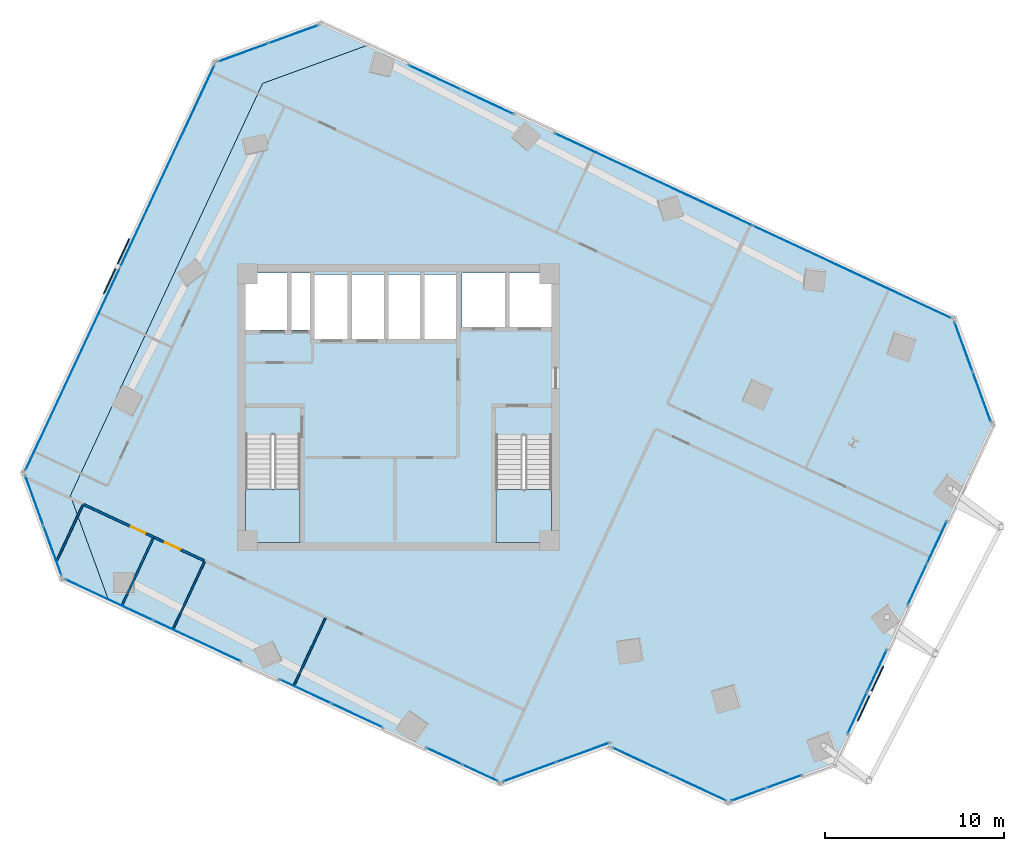
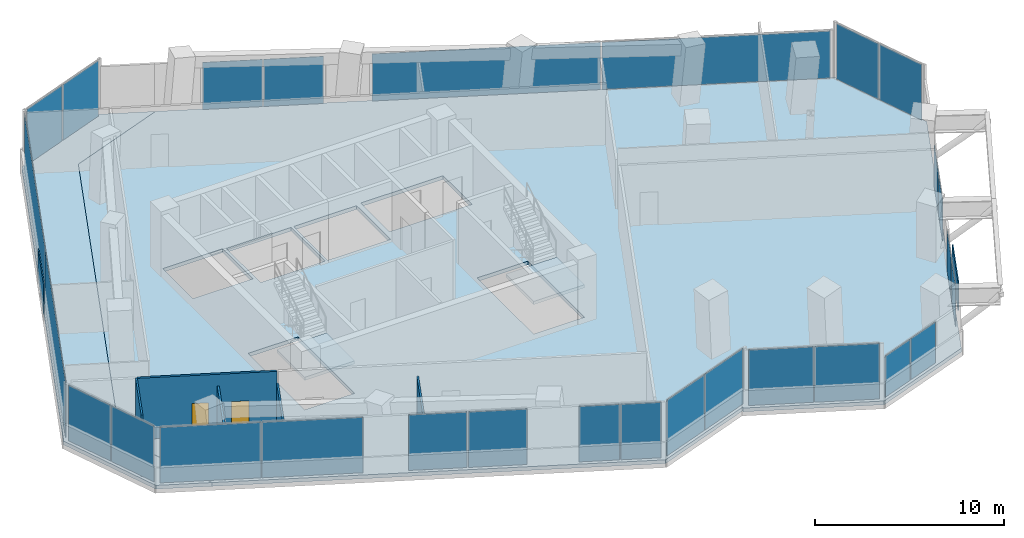
# One storey, part 15 of 21: 30 plates, 5 walls, 4 slabs, 2 doors, 2 openings, 16 elements without a shape of their own.
"""IFC4 building model written with IfcOpenShell, lengths in metres."""

from ifc_helpers import new_model, si_unit, direction, frame, frame_2d, origin, origin_2d, place, context, subcontext, project, spatial, polyline, rectangle, outline, extrude, source, transform, mapped, material, layer, layer_set, type_object, element, fill, aggregate, save


model = new_model("IFC4")

# Units and contexts
model_context = context("Model", 3, precision=1e-05, world=origin(), true_north=direction((0.0, 1.0)))
body_context = subcontext(model_context, "Body", "Model", "MODEL_VIEW")
ifc_project = project(units=[si_unit("LENGTHUNIT", "METRE"), si_unit("AREAUNIT", "SQUARE_METRE"), si_unit("VOLUMEUNIT", "CUBIC_METRE"), si_unit("PLANEANGLEUNIT", "RADIAN"), si_unit("MASSUNIT", "GRAM", prefix="KILO")], contexts=[model_context])

# Site, building, storey
site_placement = place(None, origin())
site = spatial("IfcSite", under=ifc_project, at=site_placement, CompositionType="ELEMENT")
building_placement = place(site_placement, origin())
building = spatial("IfcBuilding", under=site, at=building_placement, Name="Torre Montelarca", CompositionType="ELEMENT")
storey_placement = place(building_placement, frame((0.0, 0.0, 162.39990234375)))
storey = spatial("IfcBuildingStorey", under=building, at=storey_placement, Name="L36", CompositionType="ELEMENT", Elevation=162.39990234375)

# Slabs
ifc_material_1 = material(Name="Concrete C40/50", Category="concrete")
ifc_layer_1 = layer(ifc_material_1, 0.239990234375, Name="Concrete C40/50", Category="concrete")
ifc_layer_set_1 = layer_set([ifc_layer_1], Name="Concrete C40/50")
slab_type_1 = type_object("IfcSlabType", Name="SL-FLR-240", PredefinedType="FLOOR", material=ifc_layer_set_1)
slab_1_placement = place(storey_placement, frame((0.0, 0.0, -0.239990234375)))
element("IfcSlab", 1, at=slab_1_placement, inside=storey, type_object=slab_type_1, Name="L36 Structural Floor Slab", PredefinedType="FLOOR", context=body_context, shape_type="SweptSolid", body=[
    extrude(outline(polyline([(23.68701171875, 10.898681640625), (29.667236328125, 13.0751953125), (29.625, 12.984619140625), (36.42236328125, 9.81494140625), (42.402587890625, 11.99169921875), (51.277587890625, 31.024169921875), (49.100830078125, 37.004150390625), (16.38330078125, 52.2607421875), (10.403076171875, 50.083984375), (-0.33154296875, 27.06396484375), (1.84521484375, 21.083740234375), (23.68701171875, 10.898681640625)]), holes=[polyline([(26.550048828125, 24.449951171875), (23.43994140625, 24.449951171875), (23.43994140625, 30.429931640625), (26.550048828125, 30.429931640625), (26.550048828125, 24.449951171875)]), polyline([(9.449951171875, 24.449951171875), (9.449951171875, 30.4599609375), (12.5, 30.4599609375), (12.5, 24.449951171875), (9.449951171875, 24.449951171875)]), polyline([(17.25, 35.800048828125), (13.300048828125, 35.800048828125), (13.300048828125, 39.39990234375), (17.25, 39.39990234375), (17.25, 35.800048828125)]), polyline([(21.25, 39.39990234375), (21.25, 35.800048828125), (17.39990234375, 35.800048828125), (17.39990234375, 39.39990234375), (21.25, 39.39990234375)]), polyline([(13.1201171875, 36.300048828125), (9.449951171875, 36.300048828125), (9.449951171875, 39.5), (13.1201171875, 39.5), (13.1201171875, 36.300048828125)]), polyline([(26.60009765625, 36.449951171875), (21.550048828125, 36.449951171875), (21.550048828125, 39.5), (26.60009765625, 39.5), (26.60009765625, 36.449951171875)])]), origin(), (0.0, 0.0, 1.0), 0.239990234375),
])
slab_2_placement = place(storey_placement, frame((0.0, 0.0, -0.239990234375)))
element("IfcSlab", 2, at=slab_2_placement, inside=storey, type_object=slab_type_1, Name="L36 Sliding Tray Winter Garden Floor Slab W1", PredefinedType="FLOOR", context=body_context, shape_type="SweptSolid", body=[
    extrude(outline(polyline([(1.84521484375, 21.083740234375), (-0.33154296875, 27.06396484375), (10.403076171875, 50.083984375), (16.38330078125, 52.2607421875), (13.664306640625, 53.528564453125), (7.68408203125, 51.35205078125), (-3.05029296875, 28.331787109375), (-0.873779296875, 22.3515625), (1.84521484375, 21.083740234375)])), origin(), (0.0, 0.0, 1.0), 0.239990234375),
])

# Stair, slab
stair_type_1 = type_object("IfcStairType", Name="ST-CORE-ST1", PredefinedType="HALF_TURN_STAIR", material=ifc_material_1)
stair_1_placement = place(storey_placement, origin())
stair_1 = element("IfcStair", 3, at=stair_1_placement, inside=storey, type_object=stair_type_1, Name="L36 Protected Exit Stair ST1", PredefinedType="HALF_TURN_STAIR")
ifc_layer_2 = layer(ifc_material_1, 0.199951171875, Name="Concrete C40/50", Category="concrete")
ifc_layer_set_2 = layer_set([ifc_layer_2], Name="Concrete C40/50")
slab_type_2 = type_object("IfcSlabType", Name="SL-ST-LAND-ST1", PredefinedType="LANDING", material=ifc_layer_set_2)
slab_3_placement = place(storey_placement, frame((0.0, 0.0, 1.900146484375)))
slab_3 = element("IfcSlab", 4, at=slab_3_placement, type_object=slab_type_2, Name="ST1 landing 1", PredefinedType="LANDING", context=body_context, shape_type="SweptSolid", body=[
    extrude(outline(polyline([(9.449951171875, 27.419921875), (9.449951171875, 24.449951171875), (12.5, 24.449951171875), (12.5, 27.419921875), (9.449951171875, 27.419921875)])), origin(), (0.0, 0.0, 1.0), 0.199951171875),
])
aggregate(stair_1, [slab_3])

stair_type_2 = type_object("IfcStairType", Name="ST-CORE-ST2", PredefinedType="HALF_TURN_STAIR", material=ifc_material_1)
stair_2_placement = place(storey_placement, origin())
stair_2 = element("IfcStair", 5, at=stair_2_placement, inside=storey, type_object=stair_type_2, Name="L36 Protected Exit Stair ST2", PredefinedType="HALF_TURN_STAIR")
ifc_layer_3 = layer(ifc_material_1, 0.199951171875, Name="Concrete C40/50", Category="concrete")
ifc_layer_set_3 = layer_set([ifc_layer_3], Name="Concrete C40/50")
slab_type_3 = type_object("IfcSlabType", Name="SL-ST-LAND-ST2", PredefinedType="LANDING", material=ifc_layer_set_3)
slab_4_placement = place(storey_placement, frame((0.0, 0.0, 1.900146484375)))
slab_4 = element("IfcSlab", 6, at=slab_4_placement, type_object=slab_type_3, Name="ST2 landing 1", PredefinedType="LANDING", context=body_context, shape_type="SweptSolid", body=[
    extrude(outline(polyline([(23.43994140625, 27.389892578125), (23.43994140625, 24.449951171875), (26.550048828125, 24.449951171875), (26.550048828125, 27.389892578125), (23.43994140625, 27.389892578125)])), origin(), (0.0, 0.0, 1.0), 0.199951171875),
])
aggregate(stair_2, [slab_4])

# Plates
ifc_material_2 = material(Name="Architectural perforated terracotta ceramic", Category="masonry")
ifc_layer_4 = layer(ifc_material_2, 0.06005859375, Name="Architectural perforated terracotta ceramic", Category="masonry")
ifc_layer_set_4 = layer_set([ifc_layer_4], Name="Architectural perforated terracotta ceramic")
plate_type_1 = type_object("IfcPlateType", Name="SCR-CER-60", PredefinedType="USERDEFINED", material=ifc_layer_set_4)
shared_shape_1 = source(origin(), body_context, "Body", "SweptSolid", [
    extrude(rectangle(XDim=3.39990234375, YDim=0.06005859375, at=origin_2d()), origin(), (0.0, 0.0, 1.0), 1.89990234375),
])
for number, where, z_axis, x_axis, name in (
    (7, (44.36474609375, 16.01025390625, 0.500244140625), (0.0, 0.0, 1.0), (0.422618261741, 0.906307787037, 0.0), "L36 Perforated Ceramic Brise-Soleil Screen E6-1"),
    (8, (2.244384765625, 39.875732421875, 0.500244140625), (0.0, 0.0, 1.0), (-0.422618261741, -0.906307787037, 0.0), "L36 Perforated Ceramic Brise-Soleil Screen E10-1"),
):
    element("IfcPlate", number, at=place(storey_placement, frame(where, z_axis=z_axis, x_axis=x_axis)), inside=storey, type_object=plate_type_1, Name=name, ObjectType="SOLAR SCREEN", PredefinedType="USERDEFINED", context=body_context, shape_type="MappedRepresentation", body=[
        mapped(shared_shape_1, transform((0.0, 0.0, 0.0), scale=1.0)),
    ])

# Curtain wall, plates
ifc_material_3 = material(Name="Insulated low-E laminated glass", Category="glass")
curtain_wall_type = type_object("IfcCurtainWallType", Name="CW-SYS-Z2", PredefinedType="USERDEFINED", material=ifc_material_3)
curtain_wall_1_placement = place(storey_placement, origin())
curtain_wall_1 = element("IfcCurtainWall", 9, at=curtain_wall_1_placement, inside=storey, type_object=curtain_wall_type, Name="L36 Curtain Wall Run CW-T3-L36-E04-B1", ObjectType="UNITISED GLAZING", PredefinedType="USERDEFINED")
ifc_layer_5 = layer(ifc_material_3, 0.031982421875, Name="Insulated low-E laminated glass", Category="glass")
ifc_layer_set_5 = layer_set([ifc_layer_5], Name="Insulated low-E laminated glass")
plate_type_2 = type_object("IfcPlateType", Name="CWP-GLZ-32", PredefinedType="CURTAIN_PANEL", material=ifc_layer_set_5)
shared_shape_2 = source(origin(), body_context, "Body", "SweptSolid", [
    extrude(rectangle(XDim=3.448486328125, YDim=0.031982421875, at=origin_2d()), origin(), (0.0, 0.0, 1.0), 3.590087890625),
])
plate_1_placement = place(storey_placement, frame((31.52099609375, 12.243896484375, 0.06494140625), z_axis=(0.0, 0.0, 1.0), x_axis=(0.906315299534, -0.422602150764, 0.0)))
plate_1 = element("IfcPlate", 10, at=plate_1_placement, type_object=plate_type_2, Name="CW panel 1.1", PredefinedType="CURTAIN_PANEL", context=body_context, shape_type="MappedRepresentation", body=[
    mapped(shared_shape_2, transform((0.0, 0.0, 0.0), scale=1.0)),
])
plate_2_placement = place(storey_placement, frame((34.705322265625, 10.759033203125, 0.06494140625), z_axis=(0.0, 0.0, 1.0), x_axis=(0.906315299534, -0.422602150764, 0.0)))
plate_2 = element("IfcPlate", 11, at=plate_2_placement, type_object=plate_type_2, Name="CW panel 2.1", PredefinedType="CURTAIN_PANEL", context=body_context, shape_type="MappedRepresentation", body=[
    mapped(shared_shape_2, transform((0.0, 0.0, 0.0), scale=1.0)),
])
aggregate(curtain_wall_1, [plate_1, plate_2])

curtain_wall_2_placement = place(storey_placement, origin())
curtain_wall_2 = element("IfcCurtainWall", 12, at=curtain_wall_2_placement, inside=storey, type_object=curtain_wall_type, Name="L36 Curtain Wall Run CW-T3-L36-E11-B1", ObjectType="UNITISED GLAZING", PredefinedType="USERDEFINED")
shared_shape_3 = source(origin(), body_context, "Body", "SweptSolid", [
    extrude(rectangle(XDim=2.918701171875, YDim=0.031982421875, at=origin_2d()), origin(), (0.0, 0.0, 1.0), 3.590087890625),
])
plate_3_placement = place(storey_placement, frame((-2.35009765625, 26.7880859375, 0.06494140625), z_axis=(0.0, 0.0, 1.0), x_axis=(0.342015916313, -0.939694159282, 0.0)))
plate_3 = element("IfcPlate", 13, at=plate_3_placement, type_object=plate_type_2, Name="CW panel 1.1", PredefinedType="CURTAIN_PANEL", context=body_context, shape_type="MappedRepresentation", body=[
    mapped(shared_shape_3, transform((0.0, 0.0, 0.0), scale=1.0)),
])
plate_4_placement = place(storey_placement, frame((-1.329833984375, 23.984375, 0.06494140625), z_axis=(0.0, 0.0, 1.0), x_axis=(0.342015916313, -0.939694159282, 0.0)))
plate_4 = element("IfcPlate", 14, at=plate_4_placement, type_object=plate_type_2, Name="CW panel 2.1", PredefinedType="CURTAIN_PANEL", context=body_context, shape_type="MappedRepresentation", body=[
    mapped(shared_shape_3, transform((0.0, 0.0, 0.0), scale=1.0)),
])
aggregate(curtain_wall_2, [plate_3, plate_4])

curtain_wall_3_placement = place(storey_placement, origin())
curtain_wall_3 = element("IfcCurtainWall", 15, at=curtain_wall_3_placement, inside=storey, type_object=curtain_wall_type, Name="L36 Curtain Wall Run CW-T3-L36-E10-B1", ObjectType="UNITISED GLAZING", PredefinedType="USERDEFINED")
shared_shape_4 = source(origin(), body_context, "Body", "SweptSolid", [
    extrude(rectangle(XDim=12.4365234375, YDim=0.031982421875, at=origin_2d()), origin(), (0.0, 0.0, 1.0), 3.590087890625),
])
plate_5_placement = place(storey_placement, frame((5.076416015625, 45.4521484375, 0.06494140625), z_axis=(0.0, 0.0, 1.0), x_axis=(-0.422614216079, -0.906309673549, 0.0)))
plate_5 = element("IfcPlate", 16, at=plate_5_placement, type_object=plate_type_2, Name="CW panel 1.1", PredefinedType="CURTAIN_PANEL", context=body_context, shape_type="MappedRepresentation", body=[
    mapped(shared_shape_4, transform((0.0, 0.0, 0.0), scale=1.0)),
])
plate_6_placement = place(storey_placement, frame((-0.20703125, 34.121826171875, 0.06494140625), z_axis=(0.0, 0.0, 1.0), x_axis=(-0.422614216079, -0.906309673549, 0.0)))
plate_6 = element("IfcPlate", 17, at=plate_6_placement, type_object=plate_type_2, Name="CW panel 2.1", PredefinedType="CURTAIN_PANEL", context=body_context, shape_type="MappedRepresentation", body=[
    mapped(shared_shape_4, transform((0.0, 0.0, 0.0), scale=1.0)),
])
aggregate(curtain_wall_3, [plate_5, plate_6])

curtain_wall_4_placement = place(storey_placement, origin())
curtain_wall_4 = element("IfcCurtainWall", 18, at=curtain_wall_4_placement, inside=storey, type_object=curtain_wall_type, Name="L36 Curtain Wall Run CW-T3-L36-E01-B3", ObjectType="UNITISED GLAZING", PredefinedType="USERDEFINED")
shared_shape_5 = source(origin(), body_context, "Body", "SweptSolid", [
    extrude(rectangle(XDim=2.142822265625, YDim=0.031982421875, at=origin_2d()), origin(), (0.0, 0.0, 1.0), 3.590087890625),
])
plate_7_placement = place(storey_placement, frame((20.560791015625, 12.5, 0.06494140625), z_axis=(0.0, 0.0, 1.0), x_axis=(0.906314808527, -0.42260320378, 0.0)))
plate_7 = element("IfcPlate", 19, at=plate_7_placement, type_object=plate_type_2, Name="CW panel 1.1", PredefinedType="CURTAIN_PANEL", context=body_context, shape_type="MappedRepresentation", body=[
    mapped(shared_shape_5, transform((0.0, 0.0, 0.0), scale=1.0)),
])
plate_8_placement = place(storey_placement, frame((22.561767578125, 11.56689453125, 0.06494140625), z_axis=(0.0, 0.0, 1.0), x_axis=(0.906314808527, -0.42260320378, 0.0)))
plate_8 = element("IfcPlate", 20, at=plate_8_placement, type_object=plate_type_2, Name="CW panel 2.1", PredefinedType="CURTAIN_PANEL", context=body_context, shape_type="MappedRepresentation", body=[
    mapped(shared_shape_5, transform((0.0, 0.0, 0.0), scale=1.0)),
])
aggregate(curtain_wall_4, [plate_7, plate_8])

curtain_wall_5_placement = place(storey_placement, origin())
curtain_wall_5 = element("IfcCurtainWall", 21, at=curtain_wall_5_placement, inside=storey, type_object=curtain_wall_type, Name="L36 Curtain Wall Run CW-T3-L36-E06-B1", ObjectType="UNITISED GLAZING", PredefinedType="USERDEFINED")
shared_shape_6 = source(origin(), body_context, "Body", "SweptSolid", [
    extrude(rectangle(XDim=2.520263671875, YDim=0.031982421875, at=origin_2d()), origin(), (0.0, 0.0, 1.0), 2.64501953125),
])
plate_9_placement = place(storey_placement, frame((43.628173828125, 14.927734375, 0.065185546875), z_axis=(0.0, 0.0, 1.0), x_axis=(0.422628212506, 0.906303146852, 0.0)))
plate_9 = element("IfcPlate", 22, at=plate_9_placement, type_object=plate_type_2, Name="CW panel 1.1", PredefinedType="CURTAIN_PANEL", context=body_context, shape_type="MappedRepresentation", body=[
    mapped(shared_shape_6, transform((0.0, 0.0, 0.0), scale=1.0)),
])
plate_10_placement = place(storey_placement, frame((44.720703125, 17.2705078125, 0.065185546875), z_axis=(0.0, 0.0, 1.0), x_axis=(0.422628212506, 0.906303146852, 0.0)))
plate_10 = element("IfcPlate", 23, at=plate_10_placement, type_object=plate_type_2, Name="CW panel 2.1", PredefinedType="CURTAIN_PANEL", context=body_context, shape_type="MappedRepresentation", body=[
    mapped(shared_shape_6, transform((0.0, 0.0, 0.0), scale=1.0)),
])
aggregate(curtain_wall_5, [plate_9, plate_10])

curtain_wall_6_placement = place(storey_placement, origin())
curtain_wall_6 = element("IfcCurtainWall", 24, at=curtain_wall_6_placement, inside=storey, type_object=curtain_wall_type, Name="L36 Curtain Wall Run CW-T3-L36-E06-B2", ObjectType="UNITISED GLAZING", PredefinedType="USERDEFINED")
shared_shape_7 = source(origin(), body_context, "Body", "SweptSolid", [
    extrude(rectangle(XDim=2.517333984375, YDim=0.031982421875, at=origin_2d()), origin(), (0.0, 0.0, 1.0), 2.64501953125),
])
plate_11_placement = place(storey_placement, frame((46.975830078125, 22.10693359375, 0.065185546875), z_axis=(0.0, 0.0, 1.0), x_axis=(0.422632118592, 0.906301325352, 0.0)))
plate_11 = element("IfcPlate", 25, at=plate_11_placement, type_object=plate_type_2, Name="CW panel 1.1", PredefinedType="CURTAIN_PANEL", context=body_context, shape_type="MappedRepresentation", body=[
    mapped(shared_shape_7, transform((0.0, 0.0, 0.0), scale=1.0)),
])
plate_12_placement = place(storey_placement, frame((48.0673828125, 24.447265625, 0.065185546875), z_axis=(0.0, 0.0, 1.0), x_axis=(0.422632118592, 0.906301325352, 0.0)))
plate_12 = element("IfcPlate", 26, at=plate_12_placement, type_object=plate_type_2, Name="CW panel 2.1", PredefinedType="CURTAIN_PANEL", context=body_context, shape_type="MappedRepresentation", body=[
    mapped(shared_shape_7, transform((0.0, 0.0, 0.0), scale=1.0)),
])
aggregate(curtain_wall_6, [plate_11, plate_12])

curtain_wall_7_placement = place(storey_placement, origin())
curtain_wall_7 = element("IfcCurtainWall", 27, at=curtain_wall_7_placement, inside=storey, type_object=curtain_wall_type, Name="L36 Curtain Wall Run CW-T3-L36-E08-B1", ObjectType="UNITISED GLAZING", PredefinedType="USERDEFINED")
shared_shape_8 = source(origin(), body_context, "Body", "SweptSolid", [
    extrude(rectangle(XDim=12.159912109375, YDim=0.031982421875, at=origin_2d()), origin(), (0.0, 0.0, 1.0), 3.044921875),
])
plate_13_placement = place(storey_placement, frame((43.326416015625, 39.553466796875, 0.065185546875), z_axis=(0.0, 0.0, 1.0), x_axis=(-0.90630961207, 0.422614347923, 0.0)))
plate_13 = element("IfcPlate", 28, at=plate_13_placement, type_object=plate_type_2, Name="CW panel 1.1", PredefinedType="CURTAIN_PANEL", context=body_context, shape_type="MappedRepresentation", body=[
    mapped(shared_shape_8, transform((0.0, 0.0, 0.0), scale=1.0)),
])
plate_14_placement = place(storey_placement, frame((32.246826171875, 44.719970703125, 0.065185546875), z_axis=(0.0, 0.0, 1.0), x_axis=(-0.90630961207, 0.422614347923, 0.0)))
plate_14 = element("IfcPlate", 29, at=plate_14_placement, type_object=plate_type_2, Name="CW panel 2.1", PredefinedType="CURTAIN_PANEL", context=body_context, shape_type="MappedRepresentation", body=[
    mapped(shared_shape_8, transform((0.0, 0.0, 0.0), scale=1.0)),
])
aggregate(curtain_wall_7, [plate_13, plate_14])

curtain_wall_8_placement = place(storey_placement, origin())
curtain_wall_8 = element("IfcCurtainWall", 30, at=curtain_wall_8_placement, inside=storey, type_object=curtain_wall_type, Name="L36 Curtain Wall Run CW-T3-L36-E08-B2", ObjectType="UNITISED GLAZING", PredefinedType="USERDEFINED")
shared_shape_9 = source(origin(), body_context, "Body", "SweptSolid", [
    extrude(rectangle(XDim=3.1767578125, YDim=0.031982421875, at=origin_2d()), origin(), (0.0, 0.0, 1.0), 3.044921875),
])
plate_15_placement = place(storey_placement, frame((22.965087890625, 49.048095703125, 0.065185546875), z_axis=(0.0, 0.0, 1.0), x_axis=(-0.906304040823, 0.422626295429, 0.0)))
plate_15 = element("IfcPlate", 31, at=plate_15_placement, type_object=plate_type_2, Name="CW panel 1.1", PredefinedType="CURTAIN_PANEL", context=body_context, shape_type="MappedRepresentation", body=[
    mapped(shared_shape_9, transform((0.0, 0.0, 0.0), scale=1.0)),
])
plate_16_placement = place(storey_placement, frame((20.02685546875, 50.418212890625, 0.065185546875), z_axis=(0.0, 0.0, 1.0), x_axis=(-0.906304040823, 0.422626295429, 0.0)))
plate_16 = element("IfcPlate", 32, at=plate_16_placement, type_object=plate_type_2, Name="CW panel 2.1", PredefinedType="CURTAIN_PANEL", context=body_context, shape_type="MappedRepresentation", body=[
    mapped(shared_shape_9, transform((0.0, 0.0, 0.0), scale=1.0)),
])
aggregate(curtain_wall_8, [plate_15, plate_16])

curtain_wall_9_placement = place(storey_placement, origin())
curtain_wall_9 = element("IfcCurtainWall", 33, at=curtain_wall_9_placement, inside=storey, type_object=curtain_wall_type, Name="L36 Curtain Wall Run CW-T3-L36-E02-B1", ObjectType="UNITISED GLAZING", PredefinedType="USERDEFINED")
shared_shape_10 = source(origin(), body_context, "Body", "SweptSolid", [
    extrude(rectangle(XDim=3.1025390625, YDim=0.031982421875, at=origin_2d()), origin(), (0.0, 0.0, 1.0), 3.590087890625),
])
plate_17_placement = place(storey_placement, frame((25.3173828125, 11.63037109375, 0.06494140625), z_axis=(0.0, 0.0, 1.0), x_axis=(0.939693473932, 0.342017799316, 0.0)))
plate_17 = element("IfcPlate", 34, at=plate_17_placement, type_object=plate_type_2, Name="CW panel 1.1", PredefinedType="CURTAIN_PANEL", context=body_context, shape_type="MappedRepresentation", body=[
    mapped(shared_shape_10, transform((0.0, 0.0, 0.0), scale=1.0)),
])
plate_18_placement = place(storey_placement, frame((28.293701171875, 12.713623046875, 0.06494140625), z_axis=(0.0, 0.0, 1.0), x_axis=(0.939693473932, 0.342017799316, 0.0)))
plate_18 = element("IfcPlate", 35, at=plate_18_placement, type_object=plate_type_2, Name="CW panel 2.1", PredefinedType="CURTAIN_PANEL", context=body_context, shape_type="MappedRepresentation", body=[
    mapped(shared_shape_10, transform((0.0, 0.0, 0.0), scale=1.0)),
])
aggregate(curtain_wall_9, [plate_17, plate_18])

curtain_wall_10_placement = place(storey_placement, origin())
curtain_wall_10 = element("IfcCurtainWall", 36, at=curtain_wall_10_placement, inside=storey, type_object=curtain_wall_type, Name="L36 Curtain Wall Run CW-T3-L36-E07-B1", ObjectType="UNITISED GLAZING", PredefinedType="USERDEFINED")
shared_shape_11 = source(origin(), body_context, "Body", "SweptSolid", [
    extrude(rectangle(XDim=2.91845703125, YDim=0.031982421875, at=origin_2d()), origin(), (0.0, 0.0, 1.0), 3.590087890625),
])
plate_19_placement = place(storey_placement, frame((50.5771484375, 32.56787109375, 0.06494140625), z_axis=(0.0, 0.0, 1.0), x_axis=(-0.342021244323, 0.939692220055, 0.0)))
plate_19 = element("IfcPlate", 37, at=plate_19_placement, type_object=plate_type_2, Name="CW panel 1.1", PredefinedType="CURTAIN_PANEL", context=body_context, shape_type="MappedRepresentation", body=[
    mapped(shared_shape_11, transform((0.0, 0.0, 0.0), scale=1.0)),
])
plate_20_placement = place(storey_placement, frame((49.556884765625, 35.371337890625, 0.06494140625), z_axis=(0.0, 0.0, 1.0), x_axis=(-0.342021244323, 0.939692220055, 0.0)))
plate_20 = element("IfcPlate", 38, at=plate_20_placement, type_object=plate_type_2, Name="CW panel 2.1", PredefinedType="CURTAIN_PANEL", context=body_context, shape_type="MappedRepresentation", body=[
    mapped(shared_shape_11, transform((0.0, 0.0, 0.0), scale=1.0)),
])
aggregate(curtain_wall_10, [plate_19, plate_20])

curtain_wall_11_placement = place(storey_placement, origin())
curtain_wall_11 = element("IfcCurtainWall", 39, at=curtain_wall_11_placement, inside=storey, type_object=curtain_wall_type, Name="L36 Curtain Wall Run CW-T3-L36-E09-B1", ObjectType="UNITISED GLAZING", PredefinedType="USERDEFINED")
plate_21_placement = place(storey_placement, frame((12.120361328125, 52.828369140625, 0.06494140625), z_axis=(0.0, 0.0, 1.0), x_axis=(-0.939692220055, -0.342021244323, 0.0)))
plate_21 = element("IfcPlate", 40, at=plate_21_placement, type_object=plate_type_2, Name="CW panel 1.1", PredefinedType="CURTAIN_PANEL", context=body_context, shape_type="MappedRepresentation", body=[
    mapped(shared_shape_11, transform((0.0, 0.0, 0.0), scale=1.0)),
])
plate_22_placement = place(storey_placement, frame((9.31689453125, 51.807861328125, 0.06494140625), z_axis=(0.0, 0.0, 1.0), x_axis=(-0.939692220055, -0.342021244323, 0.0)))
plate_22 = element("IfcPlate", 41, at=plate_22_placement, type_object=plate_type_2, Name="CW panel 2.1", PredefinedType="CURTAIN_PANEL", context=body_context, shape_type="MappedRepresentation", body=[
    mapped(shared_shape_11, transform((0.0, 0.0, 0.0), scale=1.0)),
])
aggregate(curtain_wall_11, [plate_21, plate_22])

curtain_wall_12_placement = place(storey_placement, origin())
curtain_wall_12 = element("IfcCurtainWall", 42, at=curtain_wall_12_placement, inside=storey, type_object=curtain_wall_type, Name="L36 Curtain Wall Run CW-T3-L36-E01-B2", ObjectType="UNITISED GLAZING", PredefinedType="USERDEFINED")
shared_shape_12 = source(origin(), body_context, "Body", "SweptSolid", [
    extrude(rectangle(XDim=3.119384765625, YDim=0.031982421875, at=origin_2d()), origin(), (0.0, 0.0, 1.0), 3.590087890625),
])
plate_23_placement = place(storey_placement, frame((12.780517578125, 16.1279296875, 0.06494140625), z_axis=(0.0, 0.0, 1.0), x_axis=(0.906306988442, -0.422619974329, 0.0)))
plate_23 = element("IfcPlate", 43, at=plate_23_placement, type_object=plate_type_2, Name="CW panel 1.1", PredefinedType="CURTAIN_PANEL", context=body_context, shape_type="MappedRepresentation", body=[
    mapped(shared_shape_12, transform((0.0, 0.0, 0.0), scale=1.0)),
])
plate_24_placement = place(storey_placement, frame((15.666748046875, 14.7822265625, 0.06494140625), z_axis=(0.0, 0.0, 1.0), x_axis=(0.906306988442, -0.422619974329, 0.0)))
plate_24 = element("IfcPlate", 44, at=plate_24_placement, type_object=plate_type_2, Name="CW panel 2.1", PredefinedType="CURTAIN_PANEL", context=body_context, shape_type="MappedRepresentation", body=[
    mapped(shared_shape_12, transform((0.0, 0.0, 0.0), scale=1.0)),
])
aggregate(curtain_wall_12, [plate_23, plate_24])

curtain_wall_13_placement = place(storey_placement, origin())
curtain_wall_13 = element("IfcCurtainWall", 45, at=curtain_wall_13_placement, inside=storey, type_object=curtain_wall_type, Name="L36 Curtain Wall Run CW-T3-L36-E01-B1", ObjectType="UNITISED GLAZING", PredefinedType="USERDEFINED")
shared_shape_13 = source(origin(), body_context, "Body", "SweptSolid", [
    extrude(rectangle(XDim=5.36181640625, YDim=0.031982421875, at=origin_2d()), origin(), (0.0, 0.0, 1.0), 3.590087890625),
])
plate_25_placement = place(storey_placement, frame((1.820068359375, 21.23876953125, 0.06494140625), z_axis=(0.0, 0.0, 1.0), x_axis=(0.906311086698, -0.422611185521, 0.0)))
plate_25 = element("IfcPlate", 46, at=plate_25_placement, type_object=plate_type_2, Name="CW panel 1.1", PredefinedType="CURTAIN_PANEL", context=body_context, shape_type="MappedRepresentation", body=[
    mapped(shared_shape_13, transform((0.0, 0.0, 0.0), scale=1.0)),
])
plate_26_placement = place(storey_placement, frame((6.73828125, 18.945556640625, 0.06494140625), z_axis=(0.0, 0.0, 1.0), x_axis=(0.906311086698, -0.422611185521, 0.0)))
plate_26 = element("IfcPlate", 47, at=plate_26_placement, type_object=plate_type_2, Name="CW panel 2.1", PredefinedType="CURTAIN_PANEL", context=body_context, shape_type="MappedRepresentation", body=[
    mapped(shared_shape_13, transform((0.0, 0.0, 0.0), scale=1.0)),
])
aggregate(curtain_wall_13, [plate_25, plate_26])

curtain_wall_14_placement = place(storey_placement, origin())
curtain_wall_14 = element("IfcCurtainWall", 48, at=curtain_wall_14_placement, inside=storey, type_object=curtain_wall_type, Name="L36 Curtain Wall Run CW-T3-L36-E05-B1", ObjectType="UNITISED GLAZING", PredefinedType="USERDEFINED")
shared_shape_14 = source(origin(), body_context, "Body", "SweptSolid", [
    extrude(rectangle(XDim=2.039794921875, YDim=0.031982421875, at=origin_2d()), origin(), (0.0, 0.0, 1.0), 2.64501953125),
])
plate_27_placement = place(storey_placement, frame((37.55322265625, 10.364990234375, 0.065185546875), z_axis=(0.0, 0.0, 1.0), x_axis=(0.939694338355, 0.342015424306, 0.0)))
plate_27 = element("IfcPlate", 49, at=plate_27_placement, type_object=plate_type_2, Name="CW panel 1.1", PredefinedType="CURTAIN_PANEL", context=body_context, shape_type="MappedRepresentation", body=[
    mapped(shared_shape_14, transform((0.0, 0.0, 0.0), scale=1.0)),
])
plate_28_placement = place(storey_placement, frame((39.53076171875, 11.084716796875, 0.065185546875), z_axis=(0.0, 0.0, 1.0), x_axis=(0.939694338355, 0.342015424306, 0.0)))
plate_28 = element("IfcPlate", 50, at=plate_28_placement, type_object=plate_type_2, Name="CW panel 2.1", PredefinedType="CURTAIN_PANEL", context=body_context, shape_type="MappedRepresentation", body=[
    mapped(shared_shape_14, transform((0.0, 0.0, 0.0), scale=1.0)),
])
aggregate(curtain_wall_14, [plate_27, plate_28])

# Walls
ifc_material_4 = material(Name="Acoustic laminated glass partition", Category="glass")
ifc_layer_6 = layer(ifc_material_4, 0.10009765625, Name="Acoustic laminated glass partition", Category="glass")
ifc_layer_set_6 = layer_set([ifc_layer_6], Name="Acoustic laminated glass partition")
wall_type_1 = type_object("IfcWallType", Name="PW-GLAZ-100", PredefinedType="PARTITIONING", material=ifc_layer_set_6)
wall_1_placement = place(storey_placement, frame((-1.087646484375, 23.43115234375, 0.0), z_axis=(0.0, 0.0, 1.0), x_axis=(0.422632310917, 0.906301235665, 0.0)))
element("IfcWall", 51, at=wall_1_placement, inside=storey, type_object=wall_type_1, Name="L36 Interior Partition W-L36-WCW", PredefinedType="PARTITIONING", context=body_context, shape_type="SweptSolid", body=[
    extrude(rectangle(XDim=3.431884765625, YDim=0.10009765625, at=frame_2d((1.7158203125, 0.0))), origin(), (0.0, 0.0, 1.0), 3.960205078125),
])
for number, where, z_axis, x_axis, name in (
    (52, (5.410400390625, 19.619873046875, 0.0), (0.0, 0.0, 1.0), (0.422656233697, 0.906290079454, 0.0), "L36 Interior Partition W-L36-SWCDIV"),
    (53, (12.162353515625, 16.471435546875, 0.0), (0.0, 0.0, 1.0), (0.422656233697, 0.906290079454, 0.0), "L36 Interior Partition W-L36-SWDIV"),
):
    element("IfcWall", number, at=place(storey_placement, frame(where, z_axis=z_axis, x_axis=x_axis)), inside=storey, type_object=wall_type_1, Name=name, PredefinedType="PARTITIONING", context=body_context, shape_type="SweptSolid", body=[
        extrude(rectangle(XDim=4.139892578125, YDim=0.10009765625, at=frame_2d((2.06982421875, 0.0))), origin(), (0.0, 0.0, 1.0), 3.195068359375),
    ])
ifc_material_5 = material(Name="Gypsum plasterboard on steel stud", Category="steel")
ifc_layer_7 = layer(ifc_material_5, 0.114990234375, Name="Gypsum plasterboard on steel stud", Category="steel")
ifc_layer_set_7 = layer_set([ifc_layer_7], Name="Gypsum plasterboard on steel stud")
wall_type_2 = type_object("IfcWallType", Name="PW-PART-115", PredefinedType="PARTITIONING", material=ifc_layer_set_7)
wall_2_placement = place(storey_placement, frame((2.5556640625, 20.951171875, 0.0), z_axis=(0.0, 0.0, 1.0), x_axis=(0.422607794095, 0.906312668106, 0.0)))
element("IfcWall", 54, at=wall_2_placement, inside=storey, type_object=wall_type_2, Name="L36 Interior Partition W-L36-WCD", PredefinedType="PARTITIONING", context=body_context, shape_type="SweptSolid", body=[
    extrude(rectangle(XDim=4.139892578125, YDim=0.114990234375, at=frame_2d((2.06982421875, 0.0))), origin(), (0.0, 0.0, 1.0), 3.195068359375),
])

# Wall, openings, doors
ifc_layer_8 = layer(ifc_material_5, 0.135009765625, Name="Gypsum plasterboard on steel stud", Category="steel")
ifc_layer_set_8 = layer_set([ifc_layer_8], Name="Gypsum plasterboard on steel stud")
wall_type_3 = type_object("IfcWallType", Name="PW-PART-135", PredefinedType="PARTITIONING", material=ifc_layer_set_8)
wall_3_placement = place(storey_placement, frame((0.416015625, 26.560791015625, 0.0), z_axis=(0.0, 0.0, 1.0), x_axis=(0.906307511488, -0.422618852656, 0.0)))
wall_3 = element("IfcWall", 55, at=wall_3_placement, inside=storey, type_object=wall_type_3, Name="L36 Interior Partition W-L36-WCN", PredefinedType="PARTITIONING", context=body_context, shape_type="SweptSolid", body=[
    extrude(rectangle(XDim=7.419677734375, YDim=0.135009765625, at=frame_2d((3.7099609375, 0.0))), origin(), (0.0, 0.0, 1.0), 3.960205078125),
])
opening_1_placement = place(wall_3_placement, frame((2.89990234375, 0.0, 0.0)))
opening_1 = element("IfcOpeningElement", 56, at=opening_1_placement, cuts=wall_3, Name="Opening ID-090", PredefinedType="OPENING", context=body_context, shape_type="SweptSolid", body=[
    extrude(rectangle(XDim=0.89990234375, YDim=2.14990234375, at=frame_2d((0.449951171875, 1.074951171875))), frame((0.0, 0.07763671875, 0.0), z_axis=(0.0, -1.0, 0.0), x_axis=(1.0, 0.0, 0.0)), (0.0, 0.0, 1.0), 0.155029296875),
])
opening_2_placement = place(wall_3_placement, frame((5.0, 0.0, 0.0)))
opening_2 = element("IfcOpeningElement", 57, at=opening_2_placement, cuts=wall_3, Name="Opening ID-095", PredefinedType="OPENING", context=body_context, shape_type="SweptSolid", body=[
    extrude(rectangle(XDim=0.949951171875, YDim=2.14990234375, at=frame_2d((0.47509765625, 1.074951171875))), frame((0.0, 0.07763671875, 0.0), z_axis=(0.0, -1.0, 0.0), x_axis=(1.0, 0.0, 0.0)), (0.0, 0.0, 1.0), 0.155029296875),
])
ifc_material_6 = material(Name="Hardwood acoustic timber veneer", Category="wood")
door_type_1 = type_object("IfcDoorType", Name="DR-INT-090", OperationType="NOTDEFINED", PredefinedType="DOOR", material=ifc_material_6)
shared_shape_15 = source(origin(), body_context, "Body", "SweptSolid", [
    extrude(rectangle(XDim=0.89990234375, YDim=2.14990234375, at=frame_2d((0.449951171875, 1.074951171875))), frame((0.0, 0.02490234375, 0.0), z_axis=(0.0, -1.0, 0.0), x_axis=(1.0, 0.0, 0.0)), (0.0, 0.0, 1.0), 0.050048828125),
])
door_1_placement = place(opening_1_placement, origin())
door_1 = element("IfcDoor", 58, at=door_1_placement, inside=storey, type_object=door_type_1, Name="L36 Interior Door 04", OperationType="SINGLE_SWING_LEFT", OverallHeight=2.14990234375, OverallWidth=0.89990234375, PredefinedType="DOOR", context=body_context, shape_type="MappedRepresentation", body=[
    mapped(shared_shape_15, transform((0.0, 0.0, 0.0), scale=1.0)),
])
fill(opening_1, door_1)
door_type_2 = type_object("IfcDoorType", Name="DR-INT-095", OperationType="NOTDEFINED", PredefinedType="DOOR", material=ifc_material_6)
shared_shape_16 = source(origin(), body_context, "Body", "SweptSolid", [
    extrude(rectangle(XDim=0.949951171875, YDim=2.14990234375, at=frame_2d((0.47509765625, 1.074951171875))), frame((0.0, 0.02490234375, 0.0), z_axis=(0.0, -1.0, 0.0), x_axis=(1.0, 0.0, 0.0)), (0.0, 0.0, 1.0), 0.050048828125),
])
door_2_placement = place(opening_2_placement, origin())
door_2 = element("IfcDoor", 59, at=door_2_placement, inside=storey, type_object=door_type_2, Name="L36 Interior Door 05", OperationType="SINGLE_SWING_RIGHT", OverallHeight=2.14990234375, OverallWidth=0.949951171875, PredefinedType="DOOR", context=body_context, shape_type="MappedRepresentation", body=[
    mapped(shared_shape_16, transform((0.0, 0.0, 0.0), scale=1.0)),
])
fill(opening_2, door_2)

save(model, "model.ifc")
